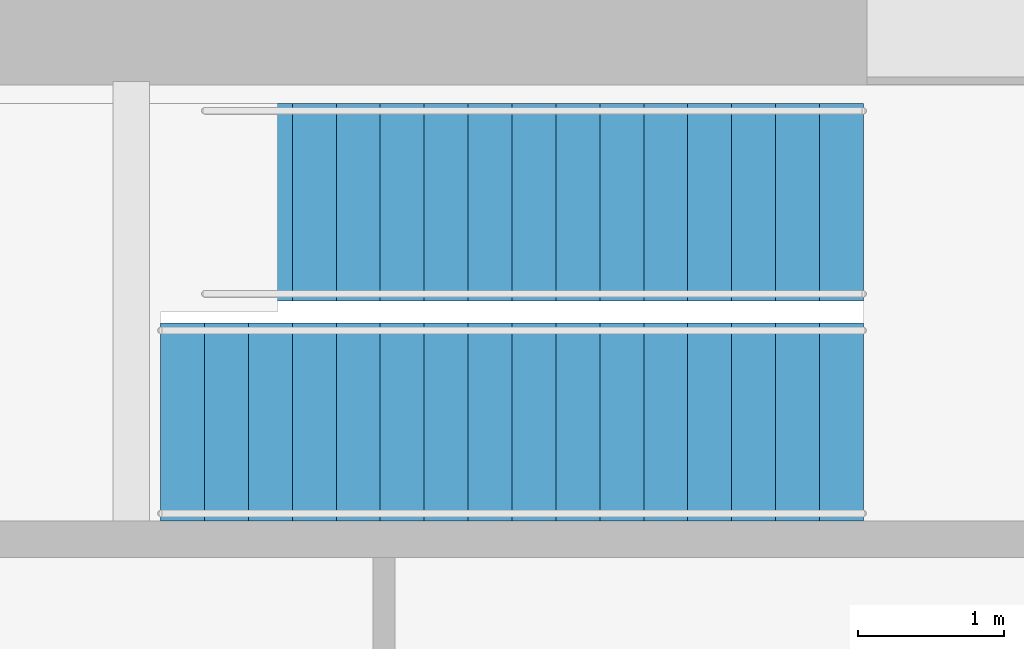
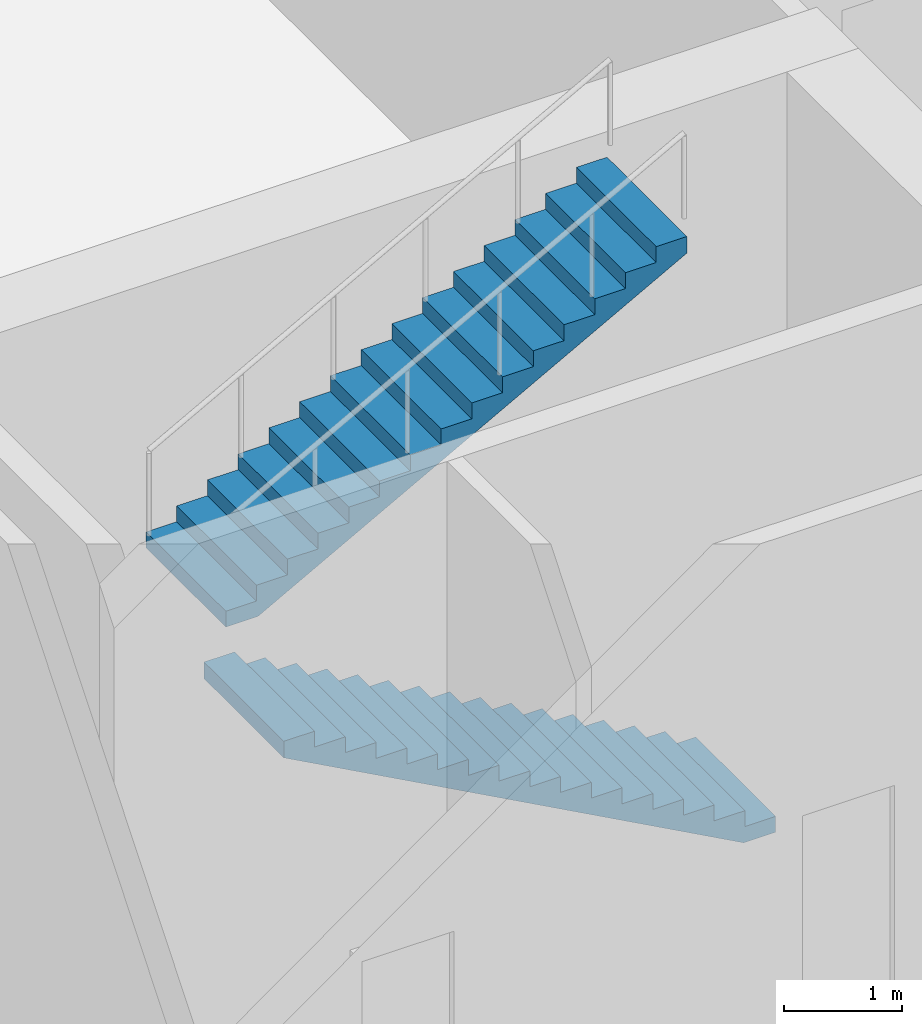
# One storey, part 6 of 9: 2 stair flights, 1 element without a shape of its own.
"""IFC4 building model written with IfcOpenShell, lengths in metres."""

from ifc_helpers import new_model, si_unit, direction, frame, origin, place, context, subcontext, project, spatial, polyline, outline, extrude, material, type_object, element, aggregate, save


model = new_model("IFC4")

# Units and contexts
model_context = context("Model", 3, precision=1e-05, world=origin(), true_north=direction((0.0, 1.0)))
body_context = subcontext(model_context, "Body", "Model", "MODEL_VIEW")
ifc_project = project(units=[si_unit("LENGTHUNIT", "METRE"), si_unit("AREAUNIT", "SQUARE_METRE"), si_unit("VOLUMEUNIT", "CUBIC_METRE"), si_unit("PLANEANGLEUNIT", "RADIAN"), si_unit("MASSUNIT", "GRAM", prefix="KILO")], contexts=[model_context])

# Site, building, storey
site_placement = place(None, origin())
site = spatial("IfcSite", under=ifc_project, at=site_placement, CompositionType="ELEMENT")
building_placement = place(site_placement, origin())
building = spatial("IfcBuilding", under=site, at=building_placement, Name="Msitu Wima Residences", CompositionType="ELEMENT")
storey_placement = place(building_placement, frame((0.0, 0.0, 208.5)))
storey = spatial("IfcBuildingStorey", under=building, at=storey_placement, Name="L48", CompositionType="ELEMENT", Elevation=208.5)

# Stair, stair flights
ifc_material = material(Name="Concrete C40/50", Category="concrete")
stair_type = type_object("IfcStairType", Name="Exit stair ES1636-135", PredefinedType="HALF_TURN_STAIR", material=ifc_material)
stair_placement = place(storey_placement, origin())
stair = element("IfcStair", 1, at=stair_placement, inside=storey, type_object=stair_type, Name="Exit stair 3", PredefinedType="HALF_TURN_STAIR")
stair_flight_type = type_object("IfcStairFlightType", Name="Exit stair flight ES1636-135", PredefinedType="STRAIGHT", material=ifc_material)
stair_flight_1_placement = place(storey_placement, frame((11.875, 9.0, 0.0), z_axis=(0.0, 0.0, 1.0), x_axis=(-1.0, 0.0, 0.0)))
stair_flight_1 = element("IfcStairFlight", 2, at=stair_flight_1_placement, type_object=stair_flight_type, Name="S3 flight 1", NumberOfRisers=17, NumberOfTreads=16, PredefinedType="STRAIGHT", RiserHeight=0.163636364, TreadLength=0.3, context=body_context, shape_type="SweptSolid", body=[
    extrude(outline(polyline([(0.0, 0.0), (0.0, 0.16357421875), (0.300048828125, 0.16357421875), (0.300048828125, 0.327392578125), (0.60009765625, 0.327392578125), (0.60009765625, 0.490966796875), (0.89990234375, 0.490966796875), (0.89990234375, 0.654541015625), (1.199951171875, 0.654541015625), (1.199951171875, 0.818115234375), (1.5, 0.818115234375), (1.5, 0.98193359375), (1.800048828125, 0.98193359375), (1.800048828125, 1.1455078125), (2.10009765625, 1.1455078125), (2.10009765625, 1.30908203125), (2.39990234375, 1.30908203125), (2.39990234375, 1.47265625), (2.699951171875, 1.47265625), (2.699951171875, 1.636474609375), (3.0, 1.636474609375), (3.0, 1.800048828125), (3.300048828125, 1.800048828125), (3.300048828125, 1.963623046875), (3.60009765625, 1.963623046875), (3.60009765625, 2.127197265625), (3.89990234375, 2.127197265625), (3.89990234375, 2.291015625), (4.199951171875, 2.291015625), (4.199951171875, 2.45458984375), (4.5, 2.45458984375), (4.5, 2.6181640625), (4.800048828125, 2.6181640625), (4.800048828125, 2.78173828125), (4.800048828125, 2.447509765625), (0.31298828125, 0.0), (0.0, 0.0)])), frame((0.0, 0.675048828125, 0.0), z_axis=(0.0, -1.0, 0.0), x_axis=(1.0, 0.0, 0.0)), (0.0, 0.0, 1.0), 1.35009765625),
])
stair_flight_2_placement = place(storey_placement, frame((7.375, 10.5, 2.78173828125), z_axis=(0.0, 0.0, 1.0), x_axis=(1.0, 0.0, 0.0)))
stair_flight_2 = element("IfcStairFlight", 3, at=stair_flight_2_placement, type_object=stair_flight_type, Name="S3 flight 2", NumberOfRisers=16, NumberOfTreads=15, PredefinedType="STRAIGHT", RiserHeight=0.163636364, TreadLength=0.3, context=body_context, shape_type="SweptSolid", body=[
    extrude(outline(polyline([(0.0, 0.0), (0.0, 0.16357421875), (0.300048828125, 0.16357421875), (0.300048828125, 0.327392578125), (0.60009765625, 0.327392578125), (0.60009765625, 0.490966796875), (0.89990234375, 0.490966796875), (0.89990234375, 0.654541015625), (1.199951171875, 0.654541015625), (1.199951171875, 0.818115234375), (1.5, 0.818115234375), (1.5, 0.98193359375), (1.800048828125, 0.98193359375), (1.800048828125, 1.1455078125), (2.10009765625, 1.1455078125), (2.10009765625, 1.30908203125), (2.39990234375, 1.30908203125), (2.39990234375, 1.47265625), (2.699951171875, 1.47265625), (2.699951171875, 1.636474609375), (3.0, 1.636474609375), (3.0, 1.800048828125), (3.300048828125, 1.800048828125), (3.300048828125, 1.963623046875), (3.60009765625, 1.963623046875), (3.60009765625, 2.127197265625), (3.89990234375, 2.127197265625), (3.89990234375, 2.291015625), (4.199951171875, 2.291015625), (4.199951171875, 2.45458984375), (4.5, 2.45458984375), (4.5, 2.6181640625), (4.5, 2.28369140625), (0.31298828125, 0.0), (0.0, 0.0)])), frame((0.0, 0.675048828125, 0.0), z_axis=(0.0, -1.0, 0.0), x_axis=(1.0, 0.0, 0.0)), (0.0, 0.0, 1.0), 1.35009765625),
])
aggregate(stair, [stair_flight_1, stair_flight_2])

save(model, "model.ifc")
